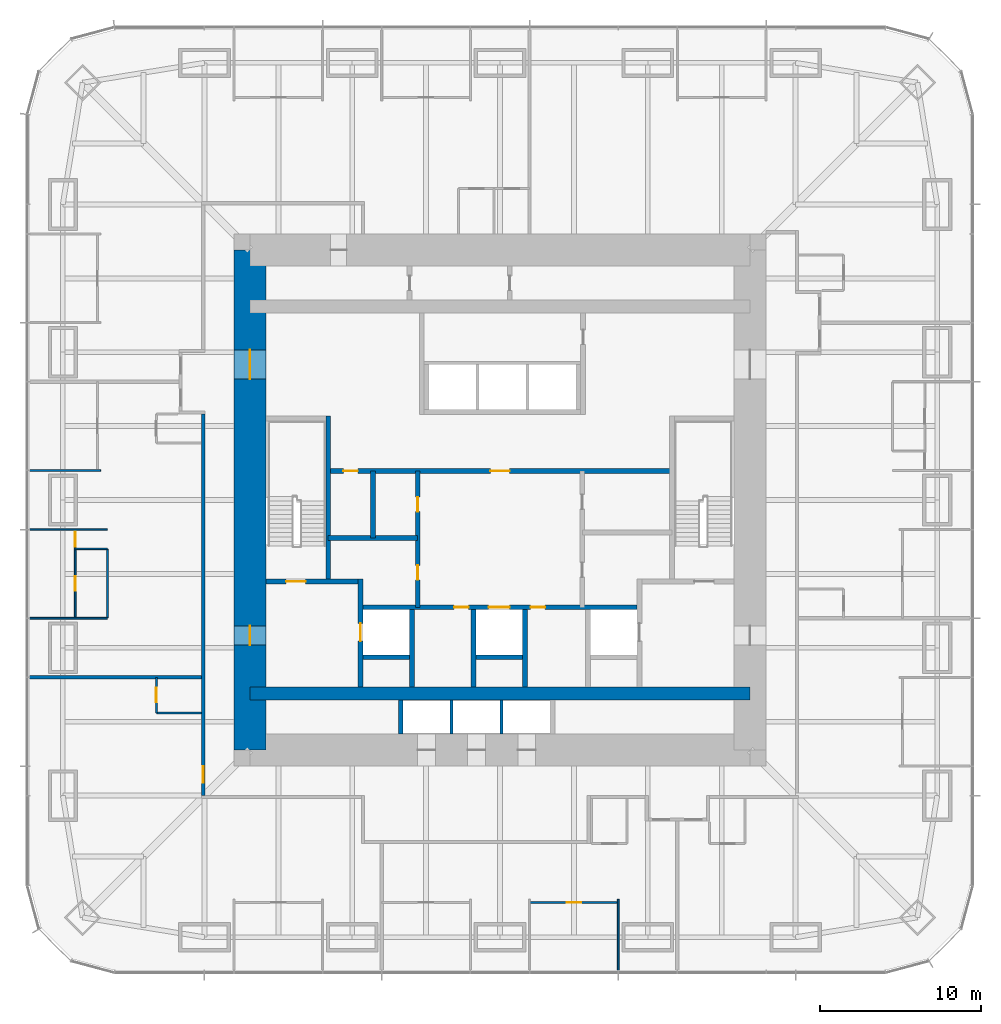
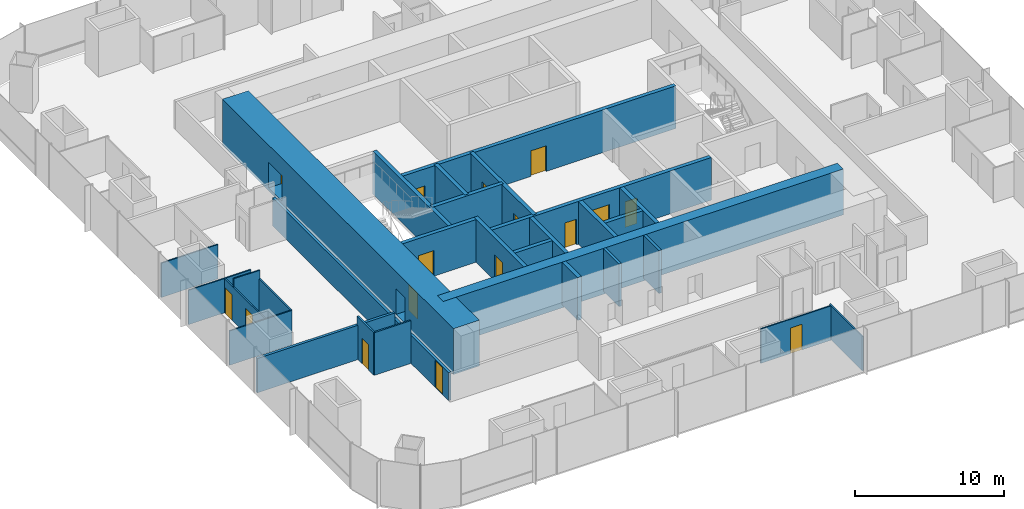
# One storey, part 9 of 13: 30 walls, 16 doors, 16 openings.
"""IFC4 building model written with IfcOpenShell, lengths in metres."""

from ifc_helpers import new_model, si_unit, direction, frame, frame_2d, origin, place, context, subcontext, project, spatial, rectangle, extrude, material, layer, layer_set, type_object, element, fill, save


model = new_model("IFC4")

# Units and contexts
model_context = context("Model", 3, precision=1e-05, world=origin(), true_north=direction((0.0, 1.0)))
body_context = subcontext(model_context, "Body", "Model", "MODEL_VIEW")
ifc_project = project(units=[si_unit("LENGTHUNIT", "METRE"), si_unit("AREAUNIT", "SQUARE_METRE"), si_unit("VOLUMEUNIT", "CUBIC_METRE"), si_unit("PLANEANGLEUNIT", "RADIAN"), si_unit("MASSUNIT", "GRAM", prefix="KILO")], contexts=[model_context])

# Site, building, storey
site_placement = place(None, origin())
site = spatial("IfcSite", under=ifc_project, at=site_placement, CompositionType="ELEMENT")
building_placement = place(site_placement, origin())
building = spatial("IfcBuilding", under=site, at=building_placement, Name="Khuree Lantern Residences", CompositionType="ELEMENT")
storey_placement = place(building_placement, frame((0.0, 0.0, 118.5)))
storey = spatial("IfcBuildingStorey", under=building, at=storey_placement, Name="L29", CompositionType="ELEMENT", Elevation=118.5)

# Wall
ifc_material_1 = material(Name="Moisture-resistant gypsum board on steel studs", Category="steel")
ifc_layer_1 = layer(ifc_material_1, 0.125)
ifc_layer_set_1 = layer_set([ifc_layer_1], Name="BATHROOM WALL BTW125")
wall_type_1 = type_object("IfcWallType", Name="BATHROOM WALL BTW125", PredefinedType="PARTITIONING", material=ifc_layer_set_1)
wall_1_placement = place(storey_placement, frame((-24.329833984375, -3.031982421875, 0.0), z_axis=(0.0, 0.0, 1.0), x_axis=(0.0, -1.0, 0.0)))
element("IfcWall", 1, at=wall_1_placement, inside=storey, type_object=wall_type_1, Name="L29 BATHROOM WALL 04", PredefinedType="PARTITIONING", context=body_context, shape_type="SweptSolid", body=[
    extrude(rectangle(XDim=4.2958984375, YDim=0.125, at=frame_2d((2.14794921875, 0.0))), origin(), (0.0, 0.0, 1.0), 2.81005859375),
])

# Wall, opening, door
wall_2_placement = place(storey_placement, frame((-21.300048828125, -10.991943359375, 0.0), z_axis=(0.0, 0.0, 1.0), x_axis=(0.0, -1.0, 0.0)))
wall_2 = element("IfcWall", 2, at=wall_2_placement, inside=storey, type_object=wall_type_1, Name="L29 BATHROOM WALL 05", PredefinedType="PARTITIONING", context=body_context, shape_type="SweptSolid", body=[
    extrude(rectangle(XDim=2.199951171875, YDim=0.125, at=frame_2d((1.10009765625, 0.0))), origin(), (0.0, 0.0, 1.0), 3.5),
])
opening_1_placement = place(wall_2_placement, frame((0.64990234375, 0.0, 0.0)))
opening_1 = element("IfcOpeningElement", 3, at=opening_1_placement, cuts=wall_2, Name="Opening 29-045", PredefinedType="OPENING", context=body_context, shape_type="SweptSolid", body=[
    extrude(rectangle(XDim=0.89990234375, YDim=2.10009765625, at=frame_2d((0.449951171875, 1.050048828125))), frame((0.0, 0.072509765625, 0.0), z_axis=(0.0, -1.0, 0.0), x_axis=(1.0, 0.0, 0.0)), (0.0, 0.0, 1.0), 0.14501953125),
])
ifc_material_2 = material(Name="Timber door leaf in hardwood frame", Category="wood")
door_type_1 = type_object("IfcDoorType", Name="BATHROOM DOOR 900X2100", OperationType="SINGLE_SWING_LEFT", PredefinedType="DOOR", material=ifc_material_2)
door_1_placement = place(opening_1_placement, origin())
door_1 = element("IfcDoor", 4, at=door_1_placement, inside=storey, type_object=door_type_1, Name="Bathroom door 29-045", OperationType="SINGLE_SWING_LEFT", OverallHeight=2.10009765625, OverallWidth=0.89990234375, PredefinedType="DOOR", context=body_context, shape_type="SweptSolid", body=[
    extrude(rectangle(XDim=0.89990234375, YDim=2.10009765625, at=frame_2d((0.449951171875, 1.050048828125))), frame((0.0, 0.02490234375, 0.0), z_axis=(0.0, -1.0, 0.0), x_axis=(1.0, 0.0, 0.0)), (0.0, 0.0, 1.0), 0.050048828125),
])
fill(opening_1, door_1)

# Wall
wall_3_placement = place(storey_placement, frame((-18.5, -13.19189453125, 0.0), z_axis=(0.0, 0.0, 1.0), x_axis=(-1.0, 0.0, 0.0)))
element("IfcWall", 5, at=wall_3_placement, inside=storey, type_object=wall_type_1, Name="L29 BATHROOM WALL 05", PredefinedType="PARTITIONING", context=body_context, shape_type="SweptSolid", body=[
    extrude(rectangle(XDim=2.800048828125, YDim=0.125, at=frame_2d((1.39990234375, 0.0))), origin(), (0.0, 0.0, 1.0), 3.5),
])

# Wall, opening, door
ifc_material_3 = material(Name="Dense concrete blockwork", Category="masonry")
ifc_layer_2 = layer(ifc_material_3, 0.300048828125)
ifc_layer_set_2 = layer_set([ifc_layer_2], Name="CORE PARTITION WALL CPW300 EI 120")
wall_type_2 = type_object("IfcWallType", Name="CORE PARTITION WALL CPW300 EI 120", PredefinedType="PARTITIONING", material=ifc_layer_set_2)
wall_4_placement = place(storey_placement, frame((-8.64990234375, -11.60009765625, 0.0), z_axis=(0.0, 0.0, 1.0), x_axis=(0.0, 1.0, 0.0)))
wall_4 = element("IfcWall", 6, at=wall_4_placement, inside=storey, type_object=wall_type_2, Name="L29 CORE WALL FL1W", PredefinedType="PARTITIONING", context=body_context, shape_type="SweptSolid", body=[
    extrude(rectangle(XDim=6.7001953125, YDim=0.300048828125, at=frame_2d((3.35009765625, 0.0))), origin(), (0.0, 0.0, 1.0), 3.5),
])
opening_2_placement = place(wall_4_placement, frame((2.85009765625, 0.0, 0.0)))
opening_2 = element("IfcOpeningElement", 7, at=opening_2_placement, cuts=wall_4, Name="Opening 29-007", PredefinedType="OPENING", context=body_context, shape_type="SweptSolid", body=[
    extrude(rectangle(XDim=1.10009765625, YDim=2.10009765625, at=frame_2d((0.550048828125, 1.050048828125))), frame((0.0, 0.16015625, 0.0), z_axis=(0.0, -1.0, 0.0), x_axis=(1.0, 0.0, 0.0)), (0.0, 0.0, 1.0), 0.320068359375),
])
ifc_material_4 = material(Name="Stainless steel lift landing door", Category="steel")
door_type_2 = type_object("IfcDoorType", Name="LIFT LANDING DOOR 1100X2100 E 120", OperationType="DOUBLE_DOOR_SLIDING", PredefinedType="DOOR", material=ifc_material_4)
door_2_placement = place(opening_2_placement, origin())
door_2 = element("IfcDoor", 8, at=door_2_placement, inside=storey, type_object=door_type_2, Name="Landing door FL1 29-007", OperationType="DOUBLE_DOOR_SLIDING", OverallHeight=2.10009765625, OverallWidth=1.10009765625, PredefinedType="DOOR", context=body_context, shape_type="SweptSolid", body=[
    extrude(rectangle(XDim=1.10009765625, YDim=2.10009765625, at=frame_2d((0.550048828125, 1.050048828125))), frame((0.0, 0.02490234375, 0.0), z_axis=(0.0, -1.0, 0.0), x_axis=(1.0, 0.0, 0.0)), (0.0, 0.0, 1.0), 0.050048828125),
])
fill(opening_2, door_2)

# Wall, openings, doors
wall_5_placement = place(storey_placement, frame((-8.5, -6.64990234375, 0.0), z_axis=(0.0, 0.0, 1.0), x_axis=(1.0, 0.0, 0.0)))
wall_5 = element("IfcWall", 9, at=wall_5_placement, inside=storey, type_object=wall_type_2, Name="L29 CORE WALL FLROW", PredefinedType="PARTITIONING", context=body_context, shape_type="SweptSolid", body=[
    extrude(rectangle(XDim=17.0, YDim=0.300048828125, at=frame_2d((8.5, 0.0))), origin(), (0.0, 0.0, 1.0), 3.5),
])
opening_3_placement = place(wall_5_placement, frame((7.800048828125, 0.0, 0.0)))
opening_3 = element("IfcOpeningElement", 10, at=opening_3_placement, cuts=wall_5, Name="Opening 29-012", PredefinedType="OPENING", context=body_context, shape_type="SweptSolid", body=[
    extrude(rectangle(XDim=1.300048828125, YDim=2.39990234375, at=frame_2d((0.64990234375, 1.199951171875))), frame((0.0, 0.16015625, 0.0), z_axis=(0.0, -1.0, 0.0), x_axis=(1.0, 0.0, 0.0)), (0.0, 0.0, 1.0), 0.320068359375),
])
opening_4_placement = place(wall_5_placement, frame((5.64990234375, 0.0, 0.0)))
opening_4 = element("IfcOpeningElement", 11, at=opening_4_placement, cuts=wall_5, Name="Opening 29-014", PredefinedType="OPENING", context=body_context, shape_type="SweptSolid", body=[
    extrude(rectangle(XDim=0.89990234375, YDim=2.10009765625, at=frame_2d((0.449951171875, 1.050048828125))), frame((0.0, 0.16015625, 0.0), z_axis=(0.0, -1.0, 0.0), x_axis=(1.0, 0.0, 0.0)), (0.0, 0.0, 1.0), 0.320068359375),
])
opening_5_placement = place(wall_5_placement, frame((10.39990234375, 0.0, 0.0)))
opening_5 = element("IfcOpeningElement", 12, at=opening_5_placement, cuts=wall_5, Name="Opening 29-015", PredefinedType="OPENING", context=body_context, shape_type="SweptSolid", body=[
    extrude(rectangle(XDim=0.89990234375, YDim=2.10009765625, at=frame_2d((0.449951171875, 1.050048828125))), frame((0.0, 0.16015625, 0.0), z_axis=(0.0, -1.0, 0.0), x_axis=(1.0, 0.0, 0.0)), (0.0, 0.0, 1.0), 0.320068359375),
])
ifc_material_5 = material(Name="Steel door leaf in steel frame", Category="steel")
door_type_3 = type_object("IfcDoorType", Name="DOOR 900X2100 EI 60", OperationType="SINGLE_SWING_LEFT", PredefinedType="DOOR", material=ifc_material_5)
door_3_placement = place(opening_4_placement, origin())
door_3 = element("IfcDoor", 13, at=door_3_placement, inside=storey, type_object=door_type_3, Name="Refuse chute room door 29-014", OperationType="SINGLE_SWING_LEFT", OverallHeight=2.10009765625, OverallWidth=0.89990234375, PredefinedType="DOOR", context=body_context, shape_type="SweptSolid", body=[
    extrude(rectangle(XDim=0.89990234375, YDim=2.10009765625, at=frame_2d((0.449951171875, 1.050048828125))), frame((0.0, 0.02490234375, 0.0), z_axis=(0.0, -1.0, 0.0), x_axis=(1.0, 0.0, 0.0)), (0.0, 0.0, 1.0), 0.050048828125),
])
fill(opening_4, door_3)
door_type_4 = type_object("IfcDoorType", Name="DOOR 900X2100 EI 60 RIGHT HAND", OperationType="SINGLE_SWING_RIGHT", PredefinedType="DOOR", material=ifc_material_5)
door_4_placement = place(opening_5_placement, origin())
door_4 = element("IfcDoor", 14, at=door_4_placement, inside=storey, type_object=door_type_4, Name="Electrical and plumbing riser door 29-015", OperationType="SINGLE_SWING_RIGHT", OverallHeight=2.10009765625, OverallWidth=0.89990234375, PredefinedType="DOOR", context=body_context, shape_type="SweptSolid", body=[
    extrude(rectangle(XDim=0.89990234375, YDim=2.10009765625, at=frame_2d((0.449951171875, 1.050048828125))), frame((0.0, 0.02490234375, 0.0), z_axis=(0.0, -1.0, 0.0), x_axis=(1.0, 0.0, 0.0)), (0.0, 0.0, 1.0), 0.050048828125),
])
fill(opening_5, door_4)
door_type_5 = type_object("IfcDoorType", Name="LIFT LANDING DOOR 1300X2400 E 60", OperationType="DOUBLE_DOOR_SLIDING", PredefinedType="DOOR", material=ifc_material_4)
door_5_placement = place(opening_3_placement, origin())
door_5 = element("IfcDoor", 15, at=door_5_placement, inside=storey, type_object=door_type_5, Name="Landing door SL1 29-012", OperationType="DOUBLE_DOOR_SLIDING", OverallHeight=2.39990234375, OverallWidth=1.300048828125, PredefinedType="DOOR", context=body_context, shape_type="SweptSolid", body=[
    extrude(rectangle(XDim=1.300048828125, YDim=2.39990234375, at=frame_2d((0.64990234375, 1.199951171875))), frame((0.0, 0.02490234375, 0.0), z_axis=(0.0, -1.0, 0.0), x_axis=(1.0, 0.0, 0.0)), (0.0, 0.0, 1.0), 0.050048828125),
])
fill(opening_3, door_5)

# Walls
for number, where, z_axis, x_axis, name in (
    (16, (-5.449951171875, -11.60009765625, 0.0), (0.0, 0.0, 1.0), (0.0, 1.0, 0.0), "L29 CORE WALL FL1E"),
    (17, (-1.64990234375, -11.60009765625, 0.0), (0.0, 0.0, 1.0), (0.0, 1.0, 0.0), "L29 CORE WALL SL1W"),
    (18, (1.550048828125, -11.60009765625, 0.0), (0.0, 0.0, 1.0), (0.0, 1.0, 0.0), "L29 CORE WALL SL1E"),
):
    element("IfcWall", number, at=place(storey_placement, frame(where, z_axis=z_axis, x_axis=x_axis)), inside=storey, type_object=wall_type_2, Name=name, PredefinedType="PARTITIONING", context=body_context, shape_type="SweptSolid", body=[
        extrude(rectangle(XDim=4.800048828125, YDim=0.300048828125, at=frame_2d((2.39990234375, 0.0))), origin(), (0.0, 0.0, 1.0), 3.5),
    ])
for number, where, z_axis, x_axis, name in (
    (19, (-8.5, -9.75, 0.0), (0.0, 0.0, 1.0), (1.0, 0.0, 0.0), "L29 CORE WALL FL1S"),
    (20, (-1.5, -9.75, 0.0), (0.0, 0.0, 1.0), (1.0, 0.0, 0.0), "L29 CORE WALL SL1S"),
):
    element("IfcWall", number, at=place(storey_placement, frame(where, z_axis=z_axis, x_axis=x_axis)), inside=storey, type_object=wall_type_2, Name=name, PredefinedType="PARTITIONING", context=body_context, shape_type="SweptSolid", body=[
        extrude(rectangle(XDim=2.89990234375, YDim=0.300048828125, at=frame_2d((1.449951171875, 0.0))), origin(), (0.0, 0.0, 1.0), 3.5),
    ])
wall_6_placement = place(storey_placement, frame((-6.14990234375, -14.5, 0.0), z_axis=(0.0, 0.0, 1.0), x_axis=(0.0, 1.0, 0.0)))
element("IfcWall", 21, at=wall_6_placement, inside=storey, type_object=wall_type_2, Name="L29 CORE WALL PMW", PredefinedType="PARTITIONING", context=body_context, shape_type="SweptSolid", body=[
    extrude(rectangle(XDim=2.10009765625, YDim=0.300048828125, at=frame_2d((1.050048828125, 0.0))), origin(), (0.0, 0.0, 1.0), 3.5),
])

# Wall, openings, doors
wall_7_placement = place(storey_placement, frame((-10.64990234375, 1.800048828125, 0.0), z_axis=(0.0, 0.0, 1.0), x_axis=(1.0, 0.0, 0.0)))
wall_7 = element("IfcWall", 22, at=wall_7_placement, inside=storey, type_object=wall_type_2, Name="L29 CORE WALL LLS", PredefinedType="PARTITIONING", context=body_context, shape_type="SweptSolid", body=[
    extrude(rectangle(XDim=21.2998046875, YDim=0.300048828125, at=frame_2d((10.64990234375, 0.0))), origin(), (0.0, 0.0, 1.0), 3.5),
])
opening_6_placement = place(wall_7_placement, frame((10.050048828125, 0.0, 0.0)))
opening_6 = element("IfcOpeningElement", 23, at=opening_6_placement, cuts=wall_7, Name="Opening 29-013", PredefinedType="OPENING", context=body_context, shape_type="SweptSolid", body=[
    extrude(rectangle(XDim=1.199951171875, YDim=2.10009765625, at=frame_2d((0.60009765625, 1.050048828125))), frame((0.0, 0.16015625, 0.0), z_axis=(0.0, -1.0, 0.0), x_axis=(1.0, 0.0, 0.0)), (0.0, 0.0, 1.0), 0.320068359375),
])
opening_7_placement = place(wall_7_placement, frame((0.93798828125, 0.0, 0.0)))
opening_7 = element("IfcOpeningElement", 24, at=opening_7_placement, cuts=wall_7, Name="Opening 29-018", PredefinedType="OPENING", context=body_context, shape_type="SweptSolid", body=[
    extrude(rectangle(XDim=0.89990234375, YDim=2.10009765625, at=frame_2d((0.449951171875, 1.050048828125))), frame((0.0, 0.16015625, 0.0), z_axis=(0.0, -1.0, 0.0), x_axis=(1.0, 0.0, 0.0)), (0.0, 0.0, 1.0), 0.320068359375),
])
door_type_6 = type_object("IfcDoorType", Name="DOOR 1200X2100 EI 60", OperationType="SINGLE_SWING_LEFT", PredefinedType="DOOR", material=ifc_material_5)
door_6_placement = place(opening_6_placement, origin())
door_6 = element("IfcDoor", 25, at=door_6_placement, inside=storey, type_object=door_type_6, Name="Service lift lobby door 29-013", OperationType="SINGLE_SWING_LEFT", OverallHeight=2.10009765625, OverallWidth=1.199951171875, PredefinedType="DOOR", context=body_context, shape_type="SweptSolid", body=[
    extrude(rectangle(XDim=1.199951171875, YDim=2.10009765625, at=frame_2d((0.60009765625, 1.050048828125))), frame((0.0, 0.02490234375, 0.0), z_axis=(0.0, -1.0, 0.0), x_axis=(1.0, 0.0, 0.0)), (0.0, 0.0, 1.0), 0.050048828125),
])
fill(opening_6, door_6)
door_type_7 = type_object("IfcDoorType", Name="DOOR 900X2100", OperationType="SINGLE_SWING_LEFT", PredefinedType="DOOR", material=ifc_material_2)
door_7_placement = place(opening_7_placement, origin())
door_7 = element("IfcDoor", 26, at=door_7_placement, inside=storey, type_object=door_type_7, Name="Housekeeping store door 29-018", OperationType="SINGLE_SWING_LEFT", OverallHeight=2.10009765625, OverallWidth=0.89990234375, PredefinedType="DOOR", context=body_context, shape_type="SweptSolid", body=[
    extrude(rectangle(XDim=0.89990234375, YDim=2.10009765625, at=frame_2d((0.449951171875, 1.050048828125))), frame((0.0, 0.02490234375, 0.0), z_axis=(0.0, -1.0, 0.0), x_axis=(1.0, 0.0, 0.0)), (0.0, 0.0, 1.0), 0.050048828125),
])
fill(opening_7, door_7)

wall_8_placement = place(storey_placement, frame((-5.10009765625, -6.64990234375, 0.0), z_axis=(0.0, 0.0, 1.0), x_axis=(0.0, 1.0, 0.0)))
wall_8 = element("IfcWall", 27, at=wall_8_placement, inside=storey, type_object=wall_type_2, Name="L29 CORE WALL SVW", PredefinedType="PARTITIONING", context=body_context, shape_type="SweptSolid", body=[
    extrude(rectangle(XDim=8.449951171875, YDim=0.300048828125, at=frame_2d((4.22509765625, 0.0))), origin(), (0.0, 0.0, 1.0), 3.5),
])
opening_8_placement = place(wall_8_placement, frame((1.699951171875, 0.0, 0.0)))
opening_8 = element("IfcOpeningElement", 28, at=opening_8_placement, cuts=wall_8, Name="Opening 29-016", PredefinedType="OPENING", context=body_context, shape_type="SweptSolid", body=[
    extrude(rectangle(XDim=0.89990234375, YDim=2.10009765625, at=frame_2d((0.449951171875, 1.050048828125))), frame((0.0, 0.16015625, 0.0), z_axis=(0.0, -1.0, 0.0), x_axis=(1.0, 0.0, 0.0)), (0.0, 0.0, 1.0), 0.320068359375),
])
opening_9_placement = place(wall_8_placement, frame((5.925048828125, 0.0, 0.0)))
opening_9 = element("IfcOpeningElement", 29, at=opening_9_placement, cuts=wall_8, Name="Opening 29-017", PredefinedType="OPENING", context=body_context, shape_type="SweptSolid", body=[
    extrude(rectangle(XDim=0.89990234375, YDim=2.10009765625, at=frame_2d((0.449951171875, 1.050048828125))), frame((0.0, 0.16015625, 0.0), z_axis=(0.0, -1.0, 0.0), x_axis=(1.0, 0.0, 0.0)), (0.0, 0.0, 1.0), 0.320068359375),
])
door_8_placement = place(opening_8_placement, origin())
door_8 = element("IfcDoor", 30, at=door_8_placement, inside=storey, type_object=door_type_7, Name="Bulky waste store door 29-016", OperationType="SINGLE_SWING_LEFT", OverallHeight=2.10009765625, OverallWidth=0.89990234375, PredefinedType="DOOR", context=body_context, shape_type="SweptSolid", body=[
    extrude(rectangle(XDim=0.89990234375, YDim=2.10009765625, at=frame_2d((0.449951171875, 1.050048828125))), frame((0.0, 0.02490234375, 0.0), z_axis=(0.0, -1.0, 0.0), x_axis=(1.0, 0.0, 0.0)), (0.0, 0.0, 1.0), 0.050048828125),
])
fill(opening_8, door_8)
door_9_placement = place(opening_9_placement, origin())
door_9 = element("IfcDoor", 31, at=door_9_placement, inside=storey, type_object=door_type_7, Name="Comms room door 29-017", OperationType="SINGLE_SWING_LEFT", OverallHeight=2.10009765625, OverallWidth=0.89990234375, PredefinedType="DOOR", context=body_context, shape_type="SweptSolid", body=[
    extrude(rectangle(XDim=0.89990234375, YDim=2.10009765625, at=frame_2d((0.449951171875, 1.050048828125))), frame((0.0, 0.02490234375, 0.0), z_axis=(0.0, -1.0, 0.0), x_axis=(1.0, 0.0, 0.0)), (0.0, 0.0, 1.0), 0.050048828125),
])
fill(opening_9, door_9)

# Walls
wall_9_placement = place(storey_placement, frame((-10.64990234375, -2.35009765625, 0.0), z_axis=(0.0, 0.0, 1.0), x_axis=(1.0, 0.0, 0.0)))
element("IfcWall", 32, at=wall_9_placement, inside=storey, type_object=wall_type_2, Name="L29 CORE WALL WX", PredefinedType="PARTITIONING", context=body_context, shape_type="SweptSolid", body=[
    extrude(rectangle(XDim=5.5498046875, YDim=0.300048828125, at=frame_2d((2.77490234375, 0.0))), origin(), (0.0, 0.0, 1.0), 3.5),
])
wall_10_placement = place(storey_placement, frame((-7.875, -2.35009765625, 0.0), z_axis=(0.0, 0.0, 1.0), x_axis=(0.0, 1.0, 0.0)))
element("IfcWall", 33, at=wall_10_placement, inside=storey, type_object=wall_type_2, Name="L29 CORE WALL WV", PredefinedType="PARTITIONING", context=body_context, shape_type="SweptSolid", body=[
    extrude(rectangle(XDim=4.150146484375, YDim=0.300048828125, at=frame_2d((2.0751953125, 0.0))), origin(), (0.0, 0.0, 1.0), 3.5),
])

# Wall, opening, door
ifc_material_6 = material(Name="Gypsum board on steel studs", Category="steel")
ifc_layer_3 = layer(ifc_material_6, 0.199951171875)
ifc_layer_set_3 = layer_set([ifc_layer_3], Name="CORRIDOR WALL CRW200 EI 60")
wall_type_3 = type_object("IfcWallType", Name="CORRIDOR WALL CRW200 EI 60", PredefinedType="PARTITIONING", material=ifc_layer_set_3)
wall_11_placement = place(storey_placement, frame((-18.39990234375, 5.327880859375, 0.0), z_axis=(0.0, 0.0, 1.0), x_axis=(0.0, -1.0, 0.0)))
wall_11 = element("IfcWall", 34, at=wall_11_placement, inside=storey, type_object=wall_type_3, Name="L29 CORRIDOR WALL WEST 2", PredefinedType="PARTITIONING", context=body_context, shape_type="SweptSolid", body=[
    extrude(rectangle(XDim=23.6279296875, YDim=0.199951171875, at=frame_2d((11.81396484375, 0.0))), origin(), (0.0, 0.0, 1.0), 2.300048828125),
])
opening_10_placement = place(wall_11_placement, frame((21.840087890625, 0.0, 0.0)))
opening_10 = element("IfcOpeningElement", 35, at=opening_10_placement, cuts=wall_11, Name="Opening 29-046", PredefinedType="OPENING", context=body_context, shape_type="SweptSolid", body=[
    extrude(rectangle(XDim=1.0, YDim=2.199951171875, at=frame_2d((0.5, 1.10009765625))), frame((0.0, 0.10986328125, 0.0), z_axis=(0.0, -1.0, 0.0), x_axis=(1.0, 0.0, 0.0)), (0.0, 0.0, 1.0), 0.219970703125),
])
door_type_8 = type_object("IfcDoorType", Name="APARTMENT ENTRANCE DOOR 1000X2200 EI 30S RIGHT HAND", OperationType="SINGLE_SWING_RIGHT", PredefinedType="DOOR", material=ifc_material_2)
door_10_placement = place(opening_10_placement, origin())
door_10 = element("IfcDoor", 36, at=door_10_placement, inside=storey, type_object=door_type_8, Name="Apartment 05 entrance door 29-046", OperationType="SINGLE_SWING_RIGHT", OverallHeight=2.199951171875, OverallWidth=1.0, PredefinedType="DOOR", context=body_context, shape_type="SweptSolid", body=[
    extrude(rectangle(XDim=1.0, YDim=2.199951171875, at=frame_2d((0.5, 1.10009765625))), frame((0.0, 0.02490234375, 0.0), z_axis=(0.0, -1.0, 0.0), x_axis=(1.0, 0.0, 0.0)), (0.0, 0.0, 1.0), 0.050048828125),
])
fill(opening_10, door_10)

# Wall, openings, doors
ifc_material_7 = material(Name="Concrete C70/85", Category="concrete")
ifc_layer_4 = layer(ifc_material_7, 2.0)
ifc_layer_set_4 = layer_set([ifc_layer_4], Name="CW2000-C70 CORE WALL C70 2000")
wall_type_4 = type_object("IfcWallType", Name="CW2000-C70 CORE WALL C70 2000", PredefinedType="SHEAR", material=ifc_layer_set_4)
wall_12_placement = place(storey_placement, frame((-15.5, -15.5, -0.25), z_axis=(0.0, 0.0, 1.0), x_axis=(0.0, 1.0, 0.0)))
wall_12 = element("IfcWall", 37, at=wall_12_placement, inside=storey, type_object=wall_type_4, Name="Core wall W", PredefinedType="SHEAR", context=body_context, shape_type="SweptSolid", body=[
    extrude(rectangle(XDim=31.0, YDim=2.0, at=frame_2d((15.5, 0.0))), origin(), (0.0, 0.0, 1.0), 3.75),
])
opening_11_placement = place(wall_12_placement, frame((6.5, 0.0, 0.25)))
opening_11 = element("IfcOpeningElement", 38, at=opening_11_placement, cuts=wall_12, Name="Opening 29-002", PredefinedType="OPENING", context=body_context, shape_type="SweptSolid", body=[
    extrude(rectangle(XDim=1.199951171875, YDim=2.10009765625, at=frame_2d((0.60009765625, 1.050048828125))), frame((0.0, 1.010009765625, 0.0), z_axis=(0.0, -1.0, 0.0), x_axis=(1.0, 0.0, 0.0)), (0.0, 0.0, 1.0), 2.02001953125),
])
opening_12_placement = place(wall_12_placement, frame((23.0, 0.0, 0.25)))
opening_12 = element("IfcOpeningElement", 39, at=opening_12_placement, cuts=wall_12, Name="Opening 29-003", PredefinedType="OPENING", context=body_context, shape_type="SweptSolid", body=[
    extrude(rectangle(XDim=1.800048828125, YDim=2.10009765625, at=frame_2d((0.89990234375, 1.050048828125))), frame((0.0, 1.010009765625, 0.0), z_axis=(0.0, -1.0, 0.0), x_axis=(1.0, 0.0, 0.0)), (0.0, 0.0, 1.0), 2.02001953125),
])
door_type_9 = type_object("IfcDoorType", Name="LOBBY DOOR 1200X2100 EI 120", OperationType="SINGLE_SWING_LEFT", PredefinedType="DOOR", material=ifc_material_5)
door_11_placement = place(opening_11_placement, origin())
door_11 = element("IfcDoor", 40, at=door_11_placement, inside=storey, type_object=door_type_9, Name="Firefighting lobby door 29-002", OperationType="SINGLE_SWING_LEFT", OverallHeight=2.10009765625, OverallWidth=1.199951171875, PredefinedType="DOOR", context=body_context, shape_type="SweptSolid", body=[
    extrude(rectangle(XDim=1.199951171875, YDim=2.10009765625, at=frame_2d((0.60009765625, 1.050048828125))), frame((0.0, 0.02490234375, 0.0), z_axis=(0.0, -1.0, 0.0), x_axis=(1.0, 0.0, 0.0)), (0.0, 0.0, 1.0), 0.050048828125),
])
fill(opening_11, door_11)
door_type_10 = type_object("IfcDoorType", Name="LOBBY DOUBLE DOOR 1800X2100 EI 60", OperationType="DOUBLE_DOOR_SINGLE_SWING", PredefinedType="DOOR", material=ifc_material_5)
door_12_placement = place(opening_12_placement, origin())
door_12 = element("IfcDoor", 41, at=door_12_placement, inside=storey, type_object=door_type_10, Name="Lift lobby door 29-003", OperationType="DOUBLE_DOOR_SINGLE_SWING", OverallHeight=2.10009765625, OverallWidth=1.800048828125, PredefinedType="DOOR", context=body_context, shape_type="SweptSolid", body=[
    extrude(rectangle(XDim=1.800048828125, YDim=2.10009765625, at=frame_2d((0.89990234375, 1.050048828125))), frame((0.0, 0.02490234375, 0.0), z_axis=(0.0, -1.0, 0.0), x_axis=(1.0, 0.0, 0.0)), (0.0, 0.0, 1.0), 0.050048828125),
])
fill(opening_12, door_12)

# Walls
ifc_layer_5 = layer(ifc_material_6, 0.199951171875)
ifc_layer_set_5 = layer_set([ifc_layer_5], Name="DEMISING WALL DMW200 EI 90")
wall_type_5 = type_object("IfcWallType", Name="DEMISING WALL DMW200 EI 90", PredefinedType="PARTITIONING", material=ifc_layer_set_5)
wall_13_placement = place(storey_placement, frame((-18.5, -10.991943359375, 0.0), z_axis=(0.0, 0.0, 1.0), x_axis=(-1.0, 0.0, 0.0)))
element("IfcWall", 42, at=wall_13_placement, inside=storey, type_object=wall_type_5, Name="L29 DEMISING WALL 05", PredefinedType="PARTITIONING", context=body_context, shape_type="SweptSolid", body=[
    extrude(rectangle(XDim=10.64990234375, YDim=0.199951171875, at=frame_2d((5.324951171875, 0.0))), origin(), (0.0, 0.0, 1.0), 2.81005859375),
])
ifc_layer_6 = layer(ifc_material_6, 0.10009765625)
ifc_layer_set_6 = layer_set([ifc_layer_6], Name="PARTITION PT100")
wall_type_6 = type_object("IfcWallType", Name="PARTITION PT100", PredefinedType="PARTITIONING", material=ifc_layer_set_6)
wall_14_placement = place(storey_placement, frame((-24.75, 1.83203125, 0.0), z_axis=(0.0, 0.0, 1.0), x_axis=(-1.0, 0.0, 0.0)))
element("IfcWall", 43, at=wall_14_placement, inside=storey, type_object=wall_type_6, Name="L29 PARTITION 04", PredefinedType="PARTITIONING", context=body_context, shape_type="SweptSolid", body=[
    extrude(rectangle(XDim=4.39990234375, YDim=0.10009765625, at=frame_2d((2.199951171875, 0.0))), origin(), (0.0, 0.0, 1.0), 2.81005859375),
])
for number, where, z_axis, x_axis, name in (
    (44, (-24.329833984375, -1.83203125, 0.0), (0.0, 0.0, 1.0), (-1.0, 0.0, 0.0), "L29 PARTITION 04"),
    (45, (-24.329833984375, -7.327880859375, 0.0), (0.0, 0.0, 1.0), (-1.0, 0.0, 0.0), "L29 PARTITION 04"),
):
    element("IfcWall", number, at=place(storey_placement, frame(where, z_axis=z_axis, x_axis=x_axis)), inside=storey, type_object=wall_type_6, Name=name, PredefinedType="PARTITIONING", context=body_context, shape_type="SweptSolid", body=[
        extrude(rectangle(XDim=4.820068359375, YDim=0.10009765625, at=frame_2d((2.41015625, 0.0))), origin(), (0.0, 0.0, 1.0), 2.81005859375),
    ])
wall_15_placement = place(storey_placement, frame((7.327880859375, -24.75, 0.0), z_axis=(0.0, 0.0, 1.0), x_axis=(0.0, -1.0, 0.0)))
element("IfcWall", 46, at=wall_15_placement, inside=storey, type_object=wall_type_6, Name="L29 PARTITION 06", PredefinedType="PARTITIONING", context=body_context, shape_type="SweptSolid", body=[
    extrude(rectangle(XDim=4.39990234375, YDim=0.10009765625, at=frame_2d((2.199951171875, 0.0))), origin(), (0.0, 0.0, 1.0), 2.81005859375),
])

# Wall, openings, doors
wall_16_placement = place(storey_placement, frame((-26.329833984375, -1.83203125, 0.0), z_axis=(0.0, 0.0, 1.0), x_axis=(0.0, -1.0, 0.0)))
wall_16 = element("IfcWall", 47, at=wall_16_placement, inside=storey, type_object=wall_type_6, Name="L29 PARTITION 04", PredefinedType="PARTITIONING", context=body_context, shape_type="SweptSolid", body=[
    extrude(rectangle(XDim=5.495849609375, YDim=0.10009765625, at=frame_2d((2.748046875, 0.0))), origin(), (0.0, 0.0, 1.0), 2.81005859375),
])
opening_13_placement = place(wall_16_placement, frame((0.14990234375, 0.0, 0.0)))
opening_13 = element("IfcOpeningElement", 48, at=opening_13_placement, cuts=wall_16, Name="Opening 29-040", PredefinedType="OPENING", context=body_context, shape_type="SweptSolid", body=[
    extrude(rectangle(XDim=0.89990234375, YDim=2.10009765625, at=frame_2d((0.449951171875, 1.050048828125))), frame((0.0, 0.06005859375, 0.0), z_axis=(0.0, -1.0, 0.0), x_axis=(1.0, 0.0, 0.0)), (0.0, 0.0, 1.0), 0.1201171875),
])
opening_14_placement = place(wall_16_placement, frame((2.89794921875, 0.0, 0.0)))
opening_14 = element("IfcOpeningElement", 49, at=opening_14_placement, cuts=wall_16, Name="Opening 29-041", PredefinedType="OPENING", context=body_context, shape_type="SweptSolid", body=[
    extrude(rectangle(XDim=0.89990234375, YDim=2.10009765625, at=frame_2d((0.449951171875, 1.050048828125))), frame((0.0, 0.06005859375, 0.0), z_axis=(0.0, -1.0, 0.0), x_axis=(1.0, 0.0, 0.0)), (0.0, 0.0, 1.0), 0.1201171875),
])
door_13_placement = place(opening_14_placement, origin())
door_13 = element("IfcDoor", 50, at=door_13_placement, inside=storey, type_object=door_type_1, Name="Bathroom door 29-041", OperationType="SINGLE_SWING_LEFT", OverallHeight=2.10009765625, OverallWidth=0.89990234375, PredefinedType="DOOR", context=body_context, shape_type="SweptSolid", body=[
    extrude(rectangle(XDim=0.89990234375, YDim=2.10009765625, at=frame_2d((0.449951171875, 1.050048828125))), frame((0.0, 0.02490234375, 0.0), z_axis=(0.0, -1.0, 0.0), x_axis=(1.0, 0.0, 0.0)), (0.0, 0.0, 1.0), 0.050048828125),
])
fill(opening_14, door_13)
door_type_11 = type_object("IfcDoorType", Name="BEDROOM DOOR 900X2100", OperationType="SINGLE_SWING_LEFT", PredefinedType="DOOR", material=ifc_material_2)
door_14_placement = place(opening_13_placement, origin())
door_14 = element("IfcDoor", 51, at=door_14_placement, inside=storey, type_object=door_type_11, Name="Bedroom door 29-040", OperationType="SINGLE_SWING_LEFT", OverallHeight=2.10009765625, OverallWidth=0.89990234375, PredefinedType="DOOR", context=body_context, shape_type="SweptSolid", body=[
    extrude(rectangle(XDim=0.89990234375, YDim=2.10009765625, at=frame_2d((0.449951171875, 1.050048828125))), frame((0.0, 0.02490234375, 0.0), z_axis=(0.0, -1.0, 0.0), x_axis=(1.0, 0.0, 0.0)), (0.0, 0.0, 1.0), 0.050048828125),
])
fill(opening_13, door_14)

# Wall
wall_17_placement = place(storey_placement, frame((-24.329833984375, -3.031982421875, 0.0), z_axis=(0.0, 0.0, 1.0), x_axis=(-1.0, 0.0, 0.0)))
element("IfcWall", 52, at=wall_17_placement, inside=storey, type_object=wall_type_6, Name="L29 PARTITION 04", PredefinedType="PARTITIONING", context=body_context, shape_type="SweptSolid", body=[
    extrude(rectangle(XDim=2.0, YDim=0.10009765625, at=frame_2d((1.0, 0.0))), origin(), (0.0, 0.0, 1.0), 3.5),
])

# Wall, opening, door
wall_18_placement = place(storey_placement, frame((1.83203125, -24.949951171875, 0.0), z_axis=(0.0, 0.0, 1.0), x_axis=(1.0, 0.0, 0.0)))
wall_18 = element("IfcWall", 53, at=wall_18_placement, inside=storey, type_object=wall_type_6, Name="L29 PARTITION 06", PredefinedType="PARTITIONING", context=body_context, shape_type="SweptSolid", body=[
    extrude(rectangle(XDim=5.495849609375, YDim=0.10009765625, at=frame_2d((2.748046875, 0.0))), origin(), (0.0, 0.0, 1.0), 2.81005859375),
])
opening_15_placement = place(wall_18_placement, frame((2.298095703125, 0.0, 0.0)))
opening_15 = element("IfcOpeningElement", 54, at=opening_15_placement, cuts=wall_18, Name="Opening 29-048", PredefinedType="OPENING", context=body_context, shape_type="SweptSolid", body=[
    extrude(rectangle(XDim=0.89990234375, YDim=2.10009765625, at=frame_2d((0.449951171875, 1.050048828125))), frame((0.0, 0.06005859375, 0.0), z_axis=(0.0, -1.0, 0.0), x_axis=(1.0, 0.0, 0.0)), (0.0, 0.0, 1.0), 0.1201171875),
])
door_15_placement = place(opening_15_placement, origin())
door_15 = element("IfcDoor", 55, at=door_15_placement, inside=storey, type_object=door_type_11, Name="Bedroom door 29-048", OperationType="SINGLE_SWING_LEFT", OverallHeight=2.10009765625, OverallWidth=0.89990234375, PredefinedType="DOOR", context=body_context, shape_type="SweptSolid", body=[
    extrude(rectangle(XDim=0.89990234375, YDim=2.10009765625, at=frame_2d((0.449951171875, 1.050048828125))), frame((0.0, 0.02490234375, 0.0), z_axis=(0.0, -1.0, 0.0), x_axis=(1.0, 0.0, 0.0)), (0.0, 0.0, 1.0), 0.050048828125),
])
fill(opening_15, door_15)

# Walls
ifc_layer_7 = layer(ifc_material_3, 0.199951171875)
ifc_layer_set_7 = layer_set([ifc_layer_7], Name="SHAFT WALL SHW200 EI 120")
wall_type_7 = type_object("IfcWallType", Name="SHAFT WALL SHW200 EI 120", PredefinedType="PARTITIONING", material=ifc_layer_set_7)
for number, where, z_axis, x_axis, name in (
    (56, (-3.0, -14.5, 0.0), (0.0, 0.0, 1.0), (0.0, 1.0, 0.0), "L29 CORE WALL PMD1"),
    (57, (0.10009765625, -14.5, 0.0), (0.0, 0.0, 1.0), (0.0, 1.0, 0.0), "L29 CORE WALL PMD2"),
):
    element("IfcWall", number, at=place(storey_placement, frame(where, z_axis=z_axis, x_axis=x_axis)), inside=storey, type_object=wall_type_7, Name=name, PredefinedType="PARTITIONING", context=body_context, shape_type="SweptSolid", body=[
        extrude(rectangle(XDim=2.10009765625, YDim=0.199951171875, at=frame_2d((1.050048828125, 0.0))), origin(), (0.0, 0.0, 1.0), 3.5),
    ])
ifc_layer_8 = layer(ifc_material_7, 0.800048828125)
ifc_layer_set_8 = layer_set([ifc_layer_8], Name="SP800-C70 CORE SPINE WALL C70 800")
wall_type_8 = type_object("IfcWallType", Name="SP800-C70 CORE SPINE WALL C70 800", PredefinedType="SHEAR", material=ifc_layer_set_8)
wall_19_placement = place(storey_placement, frame((-15.5, -12.0, -0.25), z_axis=(0.0, 0.0, 1.0), x_axis=(1.0, 0.0, 0.0)))
element("IfcWall", 58, at=wall_19_placement, inside=storey, type_object=wall_type_8, Name="Core wall SPS", PredefinedType="SHEAR", context=body_context, shape_type="SweptSolid", body=[
    extrude(rectangle(XDim=31.0, YDim=0.800048828125, at=frame_2d((15.5, 0.0))), origin(), (0.0, 0.0, 1.0), 3.75),
])
ifc_material_8 = material(Name="Concrete C50/60", Category="concrete")
ifc_layer_9 = layer(ifc_material_8, 0.300048828125)
ifc_layer_set_9 = layer_set([ifc_layer_9], Name="STAIR WALL SRW300 C50/60 REI 240")
wall_type_9 = type_object("IfcWallType", Name="STAIR WALL SRW300 C50/60 REI 240", PredefinedType="SOLIDWALL", material=ifc_layer_set_9)
wall_20_placement = place(storey_placement, frame((-10.64990234375, -4.89990234375, 0.0), z_axis=(0.0, 0.0, 1.0), x_axis=(0.0, 1.0, 0.0)))
element("IfcWall", 59, at=wall_20_placement, inside=storey, type_object=wall_type_9, Name="L29 STAIR WALL ST1E", PredefinedType="SOLIDWALL", context=body_context, shape_type="SweptSolid", body=[
    extrude(rectangle(XDim=10.099853515625, YDim=0.300048828125, at=frame_2d((5.0498046875, 0.0))), origin(), (0.0, 0.0, 1.0), 3.5),
])

# Wall, opening, door
wall_21_placement = place(storey_placement, frame((-14.5, -5.050048828125, 0.0), z_axis=(0.0, 0.0, 1.0), x_axis=(1.0, 0.0, 0.0)))
wall_21 = element("IfcWall", 60, at=wall_21_placement, inside=storey, type_object=wall_type_9, Name="L29 STAIR WALL ST1S", PredefinedType="SOLIDWALL", context=body_context, shape_type="SweptSolid", body=[
    extrude(rectangle(XDim=5.699951171875, YDim=0.300048828125, at=frame_2d((2.85009765625, 0.0))), origin(), (0.0, 0.0, 1.0), 3.5),
])
opening_16_placement = place(wall_21_placement, frame((1.25, 0.0, 0.0)))
opening_16 = element("IfcOpeningElement", 61, at=opening_16_placement, cuts=wall_21, Name="Opening 29-001", PredefinedType="OPENING", context=body_context, shape_type="SweptSolid", body=[
    extrude(rectangle(XDim=1.199951171875, YDim=2.10009765625, at=frame_2d((0.60009765625, 1.050048828125))), frame((0.0, 0.16015625, 0.0), z_axis=(0.0, -1.0, 0.0), x_axis=(1.0, 0.0, 0.0)), (0.0, 0.0, 1.0), 0.320068359375),
])
door_type_12 = type_object("IfcDoorType", Name="STAIR DOOR 1200X2100 EI 120", OperationType="SINGLE_SWING_LEFT", PredefinedType="DOOR", material=ifc_material_5)
door_16_placement = place(opening_16_placement, origin())
door_16 = element("IfcDoor", 62, at=door_16_placement, inside=storey, type_object=door_type_12, Name="Stair ST1 door 29-001", OperationType="SINGLE_SWING_LEFT", OverallHeight=2.10009765625, OverallWidth=1.199951171875, PredefinedType="DOOR", context=body_context, shape_type="SweptSolid", body=[
    extrude(rectangle(XDim=1.199951171875, YDim=2.10009765625, at=frame_2d((0.60009765625, 1.050048828125))), frame((0.0, 0.02490234375, 0.0), z_axis=(0.0, -1.0, 0.0), x_axis=(1.0, 0.0, 0.0)), (0.0, 0.0, 1.0), 0.050048828125),
])
fill(opening_16, door_16)

save(model, "model.ifc")
